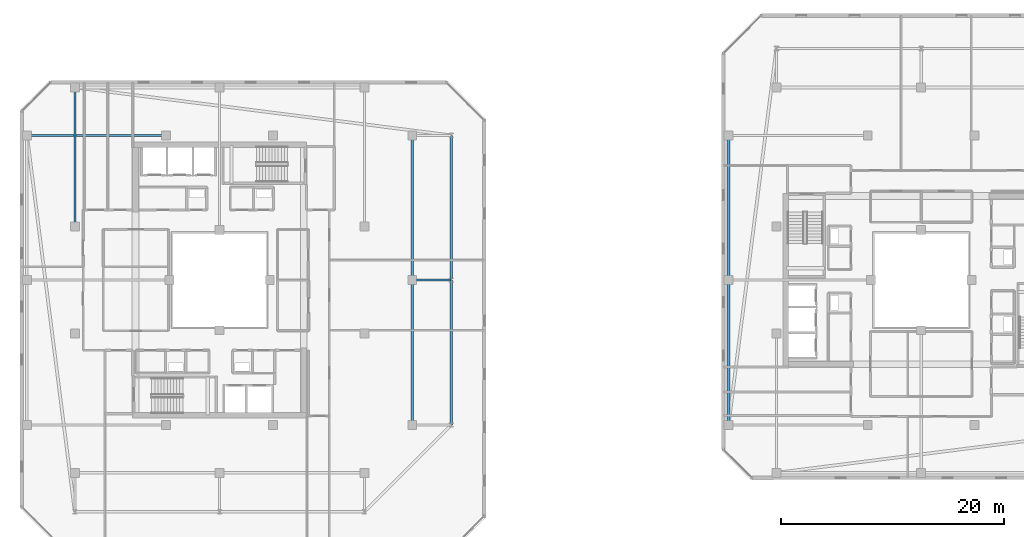
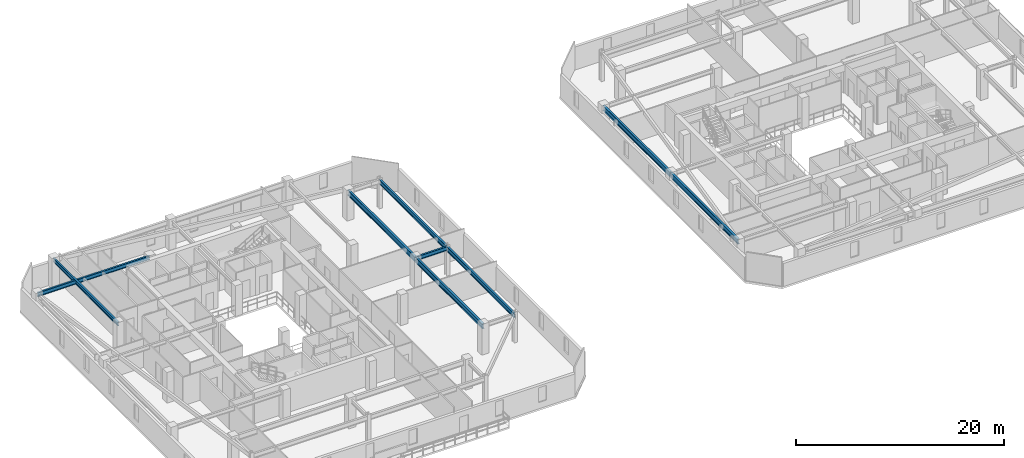
# One storey, part 9 of 35: 9 beams.
"""IFC4 building model written with IfcOpenShell, lengths in metres."""

from ifc_helpers import new_model, si_unit, direction, frame, origin, origin_2d, place, context, subcontext, project, spatial, i_section, extrude, material, material_profile, profile_set, type_object, element, save


model = new_model("IFC4")

# Units and contexts
model_context = context("Model", 3, precision=1e-05, world=origin(), true_north=direction((0.0, 1.0)))
body_context = subcontext(model_context, "Body", "Model", "MODEL_VIEW")
ifc_project = project(units=[si_unit("LENGTHUNIT", "METRE"), si_unit("AREAUNIT", "SQUARE_METRE"), si_unit("VOLUMEUNIT", "CUBIC_METRE"), si_unit("PLANEANGLEUNIT", "RADIAN"), si_unit("MASSUNIT", "GRAM", prefix="KILO")], contexts=[model_context])

# Site, building, storey
site_placement = place(None, origin())
site = spatial("IfcSite", under=ifc_project, at=site_placement, CompositionType="ELEMENT")
building_placement = place(site_placement, origin())
building = spatial("IfcBuilding", under=site, at=building_placement, Name="Thornwick Lancets Civic Towers", CompositionType="ELEMENT")
storey_placement = place(building_placement, frame((0.0, 0.0, 265.5)))
storey = spatial("IfcBuildingStorey", under=building, at=storey_placement, Name="L71", CompositionType="ELEMENT", Elevation=265.5)

# Beams
ifc_material = material(Name="Steel S355JR", Category="steel")
ifc_material_profile_1 = material_profile(ifc_material, i_section(OverallWidth=0.210693359375, OverallDepth=0.53955078125, WebThickness=0.01171875, FlangeThickness=0.018798828125, FilletRadius=0.0126953125, at=origin_2d()), Name="UKB 533x210x109")
ifc_profile_set_1 = profile_set([ifc_material_profile_1], Name="Steel S355JR")
beam_type_1 = type_object("IfcBeamType", Name="BM_EDGE_533_109", PredefinedType="SPANDREL", material=ifc_profile_set_1)
beam_1_placement = place(storey_placement, frame((46.300048828125, 14.0, 3.09033203125), z_axis=(0.0, 1.0, 0.0), x_axis=(-1.0, 0.0, 0.0)))
element("IfcBeam", 1, at=beam_1_placement, inside=storey, type_object=beam_type_1, Name="BM-EDGE-L71-A-S1-1", PredefinedType="SPANDREL", context=body_context, shape_type="SweptSolid", body=[
    extrude(i_section(OverallWidth=0.210693359375, OverallDepth=0.53955078125, WebThickness=0.01171875, FlangeThickness=0.018798828125, FilletRadius=0.0126953125, at=origin_2d()), origin(), (0.0, 0.0, 1.0), 13.0),
])
beam_2_placement = place(storey_placement, frame((46.300048828125, 27.080078125, 3.09033203125), z_axis=(0.0, 1.0, 0.0), x_axis=(-1.0, 0.0, 0.0)))
element("IfcBeam", 2, at=beam_2_placement, inside=storey, type_object=beam_type_1, Name="BM-EDGE-L71-A-S1-2", PredefinedType="SPANDREL", context=body_context, shape_type="SweptSolid", body=[
    extrude(i_section(OverallWidth=0.210693359375, OverallDepth=0.53955078125, WebThickness=0.01171875, FlangeThickness=0.018798828125, FilletRadius=0.0126953125, at=origin_2d()), origin(), (0.0, 0.0, 1.0), 12.919921875),
])
ifc_material_profile_2 = material_profile(ifc_material, i_section(OverallWidth=0.230224609375, OverallDepth=0.6171875, WebThickness=0.01318359375, FlangeThickness=0.022216796875, FilletRadius=0.0126953125, at=origin_2d()), Name="UKB 610x229x140")
ifc_profile_set_2 = profile_set([ifc_material_profile_2], Name="Steel S355JR")
beam_type_2 = type_object("IfcBeamType", Name="BM_GIRD_610_140", PredefinedType="BEAM", material=ifc_profile_set_2)
beam_3_placement = place(storey_placement, frame((42.800048828125, 14.0, 3.051513671875), z_axis=(0.0, 1.0, 0.0), x_axis=(-1.0, 0.0, 0.0)))
element("IfcBeam", 3, at=beam_3_placement, inside=storey, type_object=beam_type_2, Name="BM-SPINE-L71-A-3-4", PredefinedType="BEAM", context=body_context, shape_type="SweptSolid", body=[
    extrude(i_section(OverallWidth=0.230224609375, OverallDepth=0.6171875, WebThickness=0.01318359375, FlangeThickness=0.022216796875, FilletRadius=0.0126953125, at=origin_2d()), origin(), (0.0, 0.0, 1.0), 13.0),
])
beam_4_placement = place(storey_placement, frame((42.800048828125, 27.080078125, 3.051513671875), z_axis=(0.0, 1.0, 0.0), x_axis=(-1.0, 0.0, 0.0)))
element("IfcBeam", 4, at=beam_4_placement, inside=storey, type_object=beam_type_2, Name="BM-SPINE-L71-A-4-5", PredefinedType="BEAM", context=body_context, shape_type="SweptSolid", body=[
    extrude(i_section(OverallWidth=0.230224609375, OverallDepth=0.6171875, WebThickness=0.01318359375, FlangeThickness=0.022216796875, FilletRadius=0.0126953125, at=origin_2d()), origin(), (0.0, 0.0, 1.0), 12.919921875),
])
beam_5_placement = place(storey_placement, frame((71.199951171875, 14.0, 3.051513671875), z_axis=(0.0, 1.0, 0.0), x_axis=(-1.0, 0.0, 0.0)))
element("IfcBeam", 5, at=beam_5_placement, inside=storey, type_object=beam_type_2, Name="BM-SPINE-L71-B-6-7", PredefinedType="BEAM", context=body_context, shape_type="SweptSolid", body=[
    extrude(i_section(OverallWidth=0.230224609375, OverallDepth=0.6171875, WebThickness=0.01318359375, FlangeThickness=0.022216796875, FilletRadius=0.0126953125, at=origin_2d()), origin(), (0.0, 0.0, 1.0), 13.0),
])
beam_6_placement = place(storey_placement, frame((71.199951171875, 27.080078125, 3.051513671875), z_axis=(0.0, 1.0, 0.0), x_axis=(-1.0, 0.0, 0.0)))
element("IfcBeam", 6, at=beam_6_placement, inside=storey, type_object=beam_type_2, Name="BM-SPINE-L71-B-7-8", PredefinedType="BEAM", context=body_context, shape_type="SweptSolid", body=[
    extrude(i_section(OverallWidth=0.230224609375, OverallDepth=0.6171875, WebThickness=0.01318359375, FlangeThickness=0.022216796875, FilletRadius=0.0126953125, at=origin_2d()), origin(), (0.0, 0.0, 1.0), 12.919921875),
])
ifc_material_profile_3 = material_profile(ifc_material, i_section(OverallWidth=0.19287109375, OverallDepth=0.46728515625, WebThickness=0.011474609375, FlangeThickness=0.01953125, FilletRadius=0.01025390625, at=origin_2d()), Name="UKB 457x191x98")
ifc_profile_set_3 = profile_set([ifc_material_profile_3], Name="Steel S355JR")
beam_type_3 = type_object("IfcBeamType", Name="BM_JOIST_457_98", PredefinedType="JOIST", material=ifc_profile_set_3)
beam_7_placement = place(storey_placement, frame((42.800048828125, 27.0, 3.12646484375), z_axis=(1.0, 0.0, 0.0), x_axis=(0.0, 1.0, 0.0)))
element("IfcBeam", 7, at=beam_7_placement, inside=storey, type_object=beam_type_3, Name="BM-RAD-L71-A05", PredefinedType="JOIST", context=body_context, shape_type="SweptSolid", body=[
    extrude(i_section(OverallWidth=0.19287109375, OverallDepth=0.46728515625, WebThickness=0.011474609375, FlangeThickness=0.01953125, FilletRadius=0.01025390625, at=origin_2d()), origin(), (0.0, 0.0, 1.0), 3.5),
])
for number, where, z_axis, x_axis, name in (
    (8, (12.5, 31.800048828125, 3.12646484375), (0.0, 1.0, 0.0), (-1.0, 0.0, 0.0), "BM-RADIN-L71-A07"),
    (9, (20.699951171875, 40.0, 3.12646484375), (-1.0, 0.0, 0.0), (0.0, -1.0, 0.0), "BM-RADIN-L71-A12"),
):
    element("IfcBeam", number, at=place(storey_placement, frame(where, z_axis=z_axis, x_axis=x_axis)), inside=storey, type_object=beam_type_3, Name=name, PredefinedType="JOIST", context=body_context, shape_type="SweptSolid", body=[
        extrude(i_section(OverallWidth=0.19287109375, OverallDepth=0.46728515625, WebThickness=0.011474609375, FlangeThickness=0.01953125, FilletRadius=0.01025390625, at=origin_2d()), origin(), (0.0, 0.0, 1.0), 12.5),
    ])

save(model, "model.ifc")
